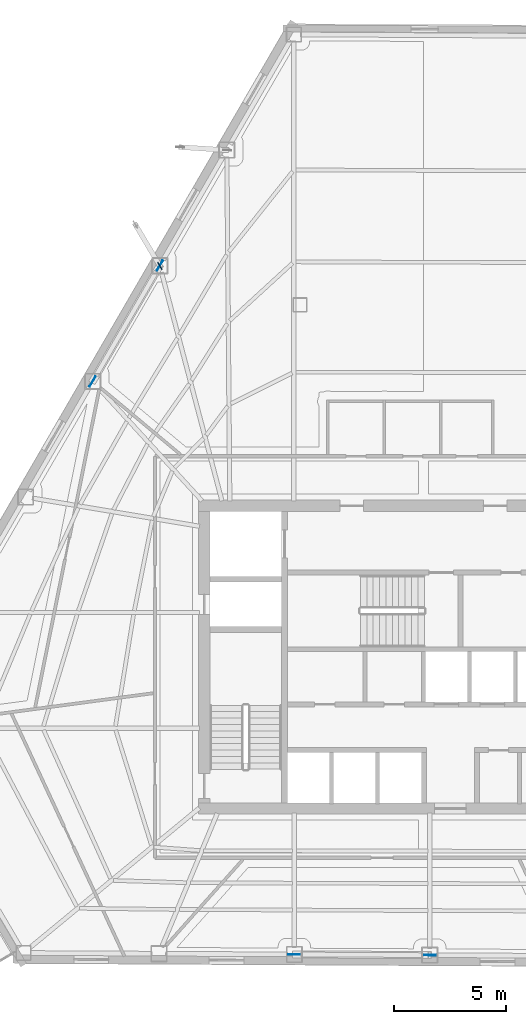
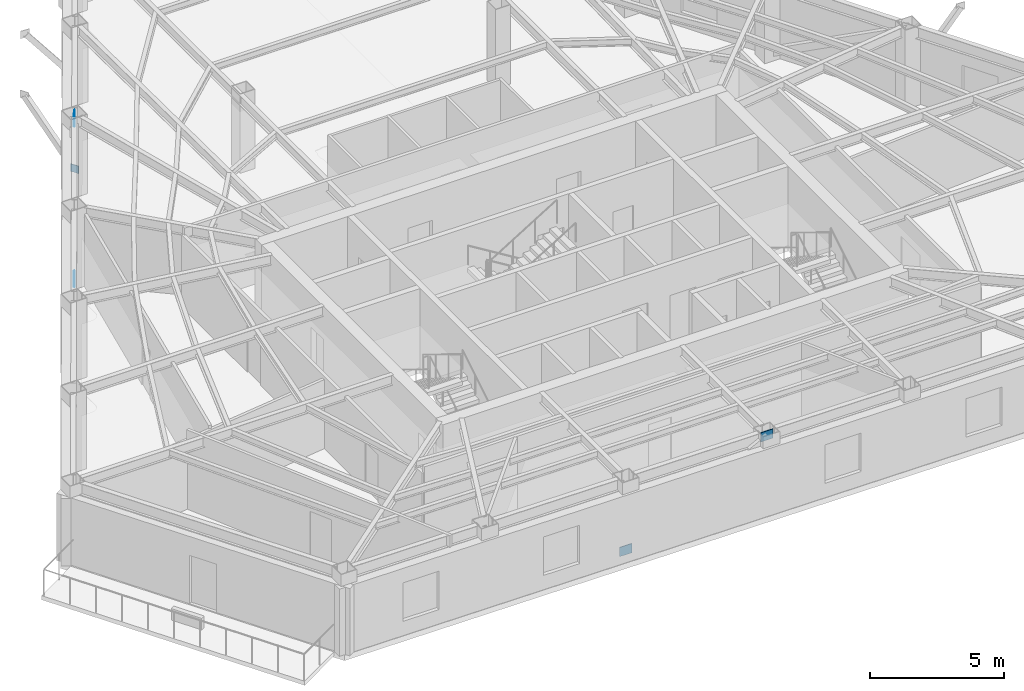
# One storey, part 4 of 13: 5 plates.
"""IFC4 building model written with IfcOpenShell, lengths in metres."""

from ifc_helpers import new_model, si_unit, direction, frame, origin, origin_2d, place, context, subcontext, project, spatial, rectangle, extrude, material, layer, layer_set, type_object, element, save


model = new_model("IFC4")

# Units and contexts
model_context = context("Model", 3, precision=1e-05, world=origin(), true_north=direction((0.0, 1.0)))
body_context = subcontext(model_context, "Body", "Model", "MODEL_VIEW")
ifc_project = project(units=[si_unit("LENGTHUNIT", "METRE"), si_unit("AREAUNIT", "SQUARE_METRE"), si_unit("VOLUMEUNIT", "CUBIC_METRE"), si_unit("PLANEANGLEUNIT", "RADIAN"), si_unit("MASSUNIT", "GRAM", prefix="KILO")], contexts=[model_context])

# Site, building, storey
site_placement = place(None, origin())
site = spatial("IfcSite", under=ifc_project, at=site_placement, CompositionType="ELEMENT")
building_placement = place(site_placement, origin())
building = spatial("IfcBuilding", under=site, at=building_placement, Name="Kavelnor Concourse Tower", CompositionType="ELEMENT")
storey_placement = place(building_placement, frame((0.0, 0.0, 124.0)))
storey = spatial("IfcBuildingStorey", under=building, at=storey_placement, Name="L31", CompositionType="ELEMENT", Elevation=124.0)

# Plates
ifc_material = material(Name="Steel Grade 350", Category="steel")
ifc_layer_1 = layer(ifc_material, 0.028076171875, Name="Steel Grade 350")
ifc_layer_set_1 = layer_set([ifc_layer_1], Name="Steel Grade 350")
plate_type_1 = type_object("IfcPlateType", Name="PL-GUSSET-FOLD", PredefinedType="USERDEFINED", material=ifc_layer_set_1)
plate_placement = place(storey_placement, frame((26.253173828125, 33.535400390625, 0.8798828125), z_axis=(0.0, 0.0, 1.0), x_axis=(-0.509642202947, 0.860386439326, 0.0)))
element("IfcPlate", 1, at=plate_placement, inside=storey, type_object=plate_type_1, Name="L31 Balcony Strut Gusset GP4 2-B End Gusset A", ObjectType="GUSSET_PLATE", PredefinedType="USERDEFINED", context=body_context, shape_type="SweptSolid", body=[
    extrude(rectangle(XDim=0.360107421875, YDim=0.028076171875, at=origin_2d()), origin(), (0.0, 0.0, 1.0), 0.340087890625),
])
ifc_layer_2 = layer(ifc_material, 0.031982421875, Name="Steel Grade 350")
ifc_layer_set_2 = layer_set([ifc_layer_2], Name="Steel Grade 350")
plate_type_2 = type_object("IfcPlateType", Name="PL-GUSSET-TUBE-Z1", PredefinedType="USERDEFINED", material=ifc_layer_set_2)
for number, where, z_axis, x_axis, name in (
    (2, (23.251708984375, 28.381103515625, 0.010009765625), (0.0, 0.0, 1.0), (0.501661726928, 0.865063877257, 0.0), "L31 Tube Brace Gusset GP3 F0-B2 End Gusset A"),
    (3, (26.253173828125, 33.55615234375, 3.12353515625), (0.0, 0.0, 1.0), (0.501661726928, 0.865063877257, 0.0), "L31 Tube Brace Gusset GP3 F0-B2 End Gusset B"),
    (4, (32.234619140625, 2.845703125, 0.010009765625), (0.0, 0.0, 1.0), (0.999985363169, -0.005410494284, 0.0), "L31 Tube Brace Gusset GP3 F1-B2 End Gusset A"),
    (5, (38.29541015625, 2.813232421875, 3.12353515625), (0.0, 0.0, 1.0), (0.999985363169, -0.005410494284, 0.0), "L31 Tube Brace Gusset GP3 F1-B2 End Gusset B"),
):
    element("IfcPlate", number, at=place(storey_placement, frame(where, z_axis=z_axis, x_axis=x_axis)), inside=storey, type_object=plate_type_2, Name=name, ObjectType="GUSSET_PLATE", PredefinedType="USERDEFINED", context=body_context, shape_type="SweptSolid", body=[
        extrude(rectangle(XDim=0.52001953125, YDim=0.031982421875, at=origin_2d()), origin(), (0.0, 0.0, 1.0), 0.419921875),
    ])

save(model, "model.ifc")
